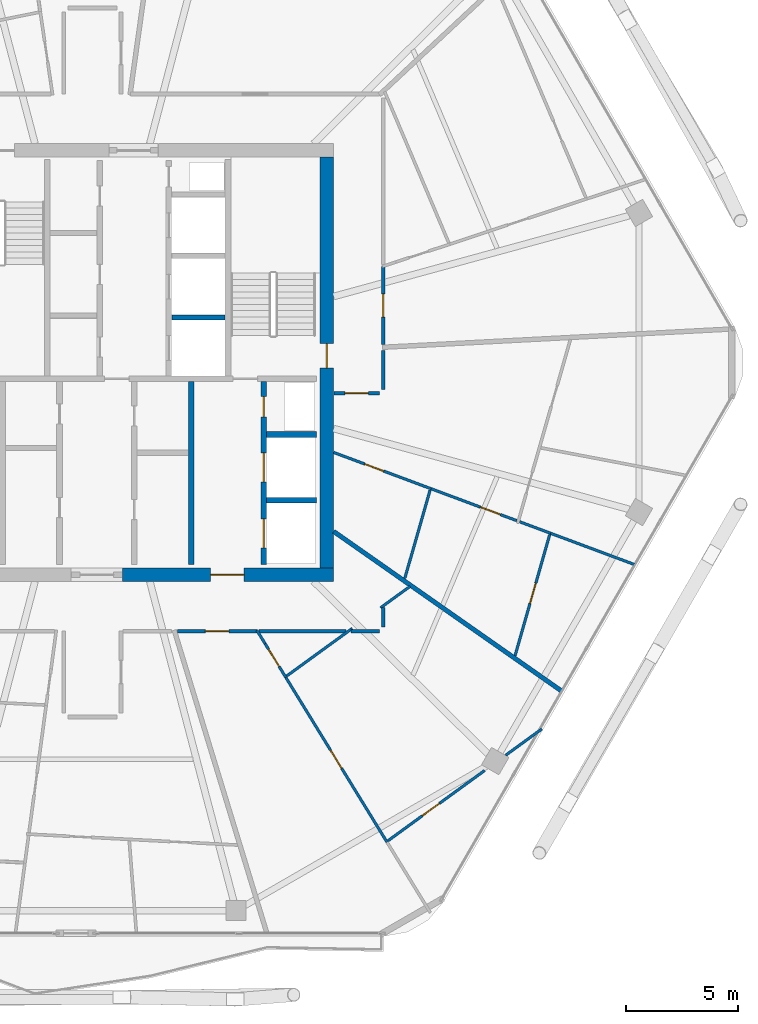
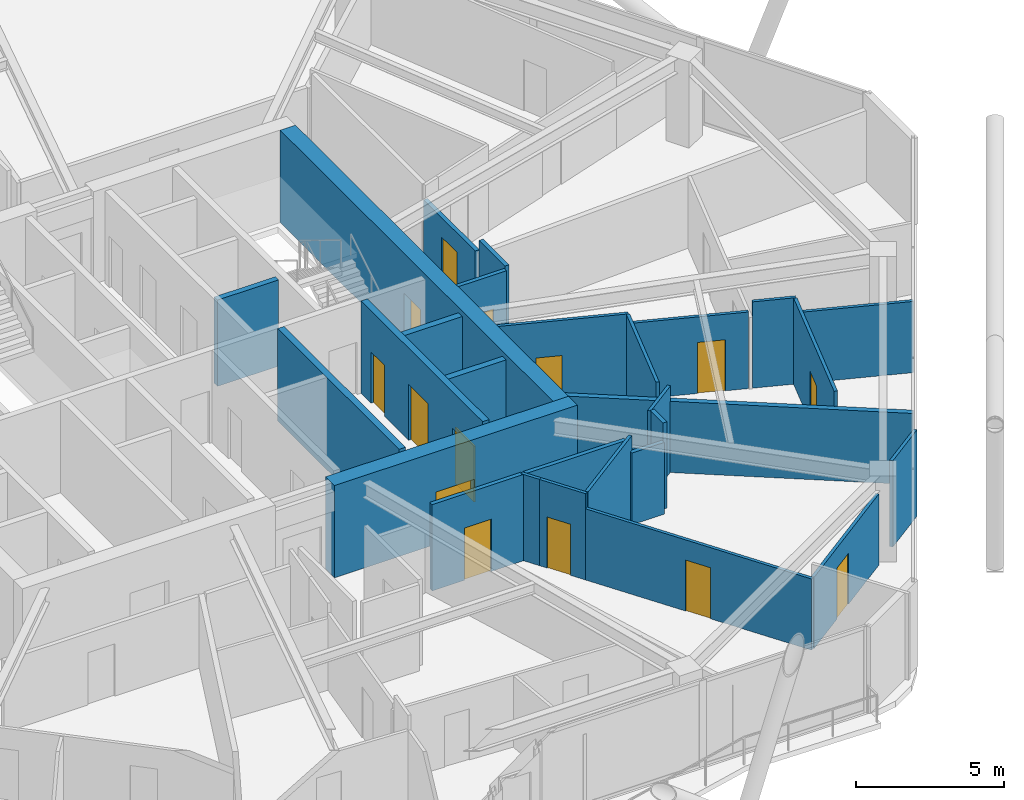
# One storey, part 22 of 28: 28 walls, 14 doors, 14 openings.
"""IFC4 building model written with IfcOpenShell, lengths in metres."""

from ifc_helpers import new_model, si_unit, direction, frame, frame_2d, origin, place, context, subcontext, project, spatial, rectangle, extrude, material, layer, layer_set, type_object, element, fill, save


model = new_model("IFC4")

# Units and contexts
model_context = context("Model", 3, precision=1e-05, world=origin(), true_north=direction((0.0, 1.0)))
body_context = subcontext(model_context, "Body", "Model", "MODEL_VIEW")
ifc_project = project(units=[si_unit("LENGTHUNIT", "METRE"), si_unit("AREAUNIT", "SQUARE_METRE"), si_unit("VOLUMEUNIT", "CUBIC_METRE"), si_unit("PLANEANGLEUNIT", "RADIAN"), si_unit("MASSUNIT", "GRAM", prefix="KILO")], contexts=[model_context])

# Site, building, storey
site_placement = place(None, origin())
site = spatial("IfcSite", under=ifc_project, at=site_placement, CompositionType="ELEMENT")
building_placement = place(site_placement, origin())
building = spatial("IfcBuilding", under=site, at=building_placement, Name="Zuhravey Tower", CompositionType="ELEMENT")
storey_placement = place(building_placement, frame((0.0, 0.0, 254.0)))
storey = spatial("IfcBuildingStorey", under=building, at=storey_placement, Name="L64", CompositionType="ELEMENT", Elevation=254.0)

# Wall, opening, door
ifc_material_1 = material(Name="Concrete C50/60", Category="concrete")
ifc_layer_1 = layer(ifc_material_1, 0.60009765625)
ifc_layer_set_1 = layer_set([ifc_layer_1], Name="Concrete C50/60")
wall_type_1 = type_object("IfcWallType", Name="Core Shear Wall 600", PredefinedType="SHEAR", material=ifc_layer_set_1)
wall_1_placement = place(storey_placement, frame((37.35009765625, 22.5, 0.0), z_axis=(0.0, 0.0, 1.0), x_axis=(1.0, 0.0, 0.0)))
wall_1 = element("IfcWall", 1, at=wall_1_placement, inside=storey, type_object=wall_type_1, Name="L64 South-East Core Shear Wall CW60", PredefinedType="SHEAR", context=body_context, shape_type="SweptSolid", body=[
    extrude(rectangle(XDim=9.449951171875, YDim=0.60009765625, at=frame_2d((4.72509765625, 0.0))), origin(), (0.0, 0.0, 1.0), 3.800048828125),
])
opening_1_placement = place(wall_1_placement, frame((3.949951171875, 0.0, 0.0)))
opening_1 = element("IfcOpeningElement", 2, at=opening_1_placement, cuts=wall_1, Name="Opening FFD1", PredefinedType="OPENING", context=body_context, shape_type="SweptSolid", body=[
    extrude(rectangle(XDim=1.5, YDim=2.14990234375, at=frame_2d((0.75, 1.074951171875))), frame((0.0, 0.31201171875, 0.0), z_axis=(0.0, -1.0, 0.0), x_axis=(1.0, 0.0, 0.0)), (0.0, 0.0, 1.0), 0.6240234375),
])
ifc_material_2 = material(Name="Galvanised fire-rated steel leaf", Category="steel")
door_type_1 = type_object("IfcDoorType", Name="Firefighting Lobby Double Door 1500x2150", OperationType="DOUBLE_DOOR_SINGLE_SWING", PredefinedType="DOOR", material=ifc_material_2)
door_1_placement = place(opening_1_placement, origin())
door_1 = element("IfcDoor", 3, at=door_1_placement, inside=storey, type_object=door_type_1, Name="L64 Firefighting Lobby East Door", OperationType="DOUBLE_DOOR_SINGLE_SWING", OverallHeight=2.14990234375, OverallWidth=1.5, PredefinedType="DOOR", context=body_context, shape_type="SweptSolid", body=[
    extrude(rectangle(XDim=1.5, YDim=2.14990234375, at=frame_2d((0.75, 1.074951171875))), frame((0.0, 0.02490234375, 0.0), z_axis=(0.0, -1.0, 0.0), x_axis=(1.0, 0.0, 0.0)), (0.0, 0.0, 1.0), 0.050048828125),
])
fill(opening_1, door_1)

wall_2_placement = place(storey_placement, frame((46.5, 22.800048828125, 0.0), z_axis=(0.0, 0.0, 1.0), x_axis=(0.0, 1.0, 0.0)))
wall_2 = element("IfcWall", 4, at=wall_2_placement, inside=storey, type_object=wall_type_1, Name="L64 East Core Shear Wall CW60", PredefinedType="SHEAR", context=body_context, shape_type="SweptSolid", body=[
    extrude(rectangle(XDim=18.39990234375, YDim=0.60009765625, at=frame_2d((9.199951171875, 0.0))), origin(), (0.0, 0.0, 1.0), 3.800048828125),
])
opening_2_placement = place(wall_2_placement, frame((8.949951171875, 0.0, 0.0)))
opening_2 = element("IfcOpeningElement", 5, at=opening_2_placement, cuts=wall_2, Name="Opening STD1", PredefinedType="OPENING", context=body_context, shape_type="SweptSolid", body=[
    extrude(rectangle(XDim=1.10009765625, YDim=2.14990234375, at=frame_2d((0.550048828125, 1.074951171875))), frame((0.0, 0.31201171875, 0.0), z_axis=(0.0, -1.0, 0.0), x_axis=(1.0, 0.0, 0.0)), (0.0, 0.0, 1.0), 0.6240234375),
])
door_type_2 = type_object("IfcDoorType", Name="Protected Stair Fire Door 1100x2150", OperationType="NOTDEFINED", PredefinedType="USERDEFINED", material=ifc_material_2)
door_2_placement = place(opening_2_placement, origin())
door_2 = element("IfcDoor", 6, at=door_2_placement, inside=storey, type_object=door_type_2, Name="L64 Stair ST2 Door", ObjectType="EXITDOOR", OperationType="SINGLE_SWING_RIGHT", OverallHeight=2.14990234375, OverallWidth=1.10009765625, PredefinedType="USERDEFINED", context=body_context, shape_type="SweptSolid", body=[
    extrude(rectangle(XDim=1.10009765625, YDim=2.14990234375, at=frame_2d((0.550048828125, 1.074951171875))), frame((0.0, 0.02490234375, 0.0), z_axis=(0.0, -1.0, 0.0), x_axis=(1.0, 0.0, 0.0)), (0.0, 0.0, 1.0), 0.050048828125),
])
fill(opening_2, door_2)

ifc_material_3 = material(Name="Gypsum fire-rated stud partition")
ifc_layer_2 = layer(ifc_material_3, 0.159912109375)
ifc_layer_set_2 = layer_set([ifc_layer_2], Name="Gypsum fire-rated stud partition")
wall_type_2 = type_object("IfcWallType", Name="Corridor Fire Partition 160", PredefinedType="PARTITIONING", material=ifc_layer_set_2)
wall_3_placement = place(storey_placement, frame((39.81396484375, 19.969970703125, 0.0), z_axis=(0.0, 0.0, 1.0), x_axis=(1.0, 0.0, 0.0)))
wall_3 = element("IfcWall", 7, at=wall_3_placement, inside=storey, type_object=wall_type_2, Name="L64 IW16 Partition 045", PredefinedType="PARTITIONING", context=body_context, shape_type="SweptSolid", body=[
    extrude(rectangle(XDim=3.552001953125, YDim=0.159912109375, at=frame_2d((1.77587890625, 0.0))), origin(), (0.0, 0.0, 1.0), 3.550048828125),
])
opening_3_placement = place(wall_3_placement, frame((1.2509765625, 0.0, 0.0)))
opening_3 = element("IfcOpeningElement", 8, at=opening_3_placement, cuts=wall_3, Name="Opening APD1", PredefinedType="OPENING", context=body_context, shape_type="SweptSolid", body=[
    extrude(rectangle(XDim=1.050048828125, YDim=2.14990234375, at=frame_2d((0.52490234375, 1.074951171875))), frame((0.0, 0.092041015625, 0.0), z_axis=(0.0, -1.0, 0.0), x_axis=(1.0, 0.0, 0.0)), (0.0, 0.0, 1.0), 0.183837890625),
])
ifc_material_4 = material(Name="Solid-core oak fire-rated leaf")
door_type_3 = type_object("IfcDoorType", Name="Apartment Entrance Fire Door 1050x2150", OperationType="NOTDEFINED", PredefinedType="DOOR", material=ifc_material_4)
door_3_placement = place(opening_3_placement, frame((1.050048828125, 0.0, 0.0), z_axis=(0.0, 0.0, 1.0), x_axis=(-1.0, 0.0, 0.0)))
door_3 = element("IfcDoor", 9, at=door_3_placement, inside=storey, type_object=door_type_3, Name="L64 Door 045.1", OperationType="SINGLE_SWING_RIGHT", OverallHeight=2.14990234375, OverallWidth=1.050048828125, PredefinedType="DOOR", context=body_context, shape_type="SweptSolid", body=[
    extrude(rectangle(XDim=1.050048828125, YDim=2.14990234375, at=frame_2d((0.52490234375, 1.074951171875))), frame((0.0, 0.02490234375, 0.0), z_axis=(0.0, -1.0, 0.0), x_axis=(1.0, 0.0, 0.0)), (0.0, 0.0, 1.0), 0.050048828125),
])
fill(opening_3, door_3)

wall_4_placement = place(storey_placement, frame((46.820068359375, 30.6201171875, 0.0), z_axis=(0.0, 0.0, 1.0), x_axis=(1.0, 0.0, 0.0)))
wall_4 = element("IfcWall", 10, at=wall_4_placement, inside=storey, type_object=wall_type_2, Name="L64 IW16 Partition 051", PredefinedType="PARTITIONING", context=body_context, shape_type="SweptSolid", body=[
    extrude(rectangle(XDim=2.030029296875, YDim=0.159912109375, at=frame_2d((1.01513671875, 0.0))), origin(), (0.0, 0.0, 1.0), 3.550048828125),
])
opening_4_placement = place(wall_4_placement, frame((0.489990234375, 0.0, 0.0)))
opening_4 = element("IfcOpeningElement", 11, at=opening_4_placement, cuts=wall_4, Name="Opening APD1", PredefinedType="OPENING", context=body_context, shape_type="SweptSolid", body=[
    extrude(rectangle(XDim=1.050048828125, YDim=2.14990234375, at=frame_2d((0.52490234375, 1.074951171875))), frame((0.0, 0.092041015625, 0.0), z_axis=(0.0, -1.0, 0.0), x_axis=(1.0, 0.0, 0.0)), (0.0, 0.0, 1.0), 0.183837890625),
])
door_4_placement = place(opening_4_placement, frame((1.050048828125, 0.0, 0.0), z_axis=(0.0, 0.0, 1.0), x_axis=(-1.0, 0.0, 0.0)))
door_4 = element("IfcDoor", 12, at=door_4_placement, inside=storey, type_object=door_type_3, Name="L64 Door 051.1", OperationType="SINGLE_SWING_RIGHT", OverallHeight=2.14990234375, OverallWidth=1.050048828125, PredefinedType="DOOR", context=body_context, shape_type="SweptSolid", body=[
    extrude(rectangle(XDim=1.050048828125, YDim=2.14990234375, at=frame_2d((0.52490234375, 1.074951171875))), frame((0.0, 0.02490234375, 0.0), z_axis=(0.0, -1.0, 0.0), x_axis=(1.0, 0.0, 0.0)), (0.0, 0.0, 1.0), 0.050048828125),
])
fill(opening_4, door_4)

wall_5_placement = place(storey_placement, frame((49.030029296875, 32.81689453125, 0.0), z_axis=(0.0, 0.0, 1.0), x_axis=(0.0, 1.0, 0.0)))
wall_5 = element("IfcWall", 13, at=wall_5_placement, inside=storey, type_object=wall_type_2, Name="L64 IW16 Partition 055", PredefinedType="PARTITIONING", context=body_context, shape_type="SweptSolid", body=[
    extrude(rectangle(XDim=3.476318359375, YDim=0.159912109375, at=frame_2d((1.73828125, 0.0))), origin(), (0.0, 0.0, 1.0), 2.949951171875),
])
opening_5_placement = place(wall_5_placement, frame((1.213134765625, 0.0, 0.0)))
opening_5 = element("IfcOpeningElement", 14, at=opening_5_placement, cuts=wall_5, Name="Opening APD1", PredefinedType="OPENING", context=body_context, shape_type="SweptSolid", body=[
    extrude(rectangle(XDim=1.050048828125, YDim=2.14990234375, at=frame_2d((0.52490234375, 1.074951171875))), frame((0.0, 0.092041015625, 0.0), z_axis=(0.0, -1.0, 0.0), x_axis=(1.0, 0.0, 0.0)), (0.0, 0.0, 1.0), 0.183837890625),
])
door_5_placement = place(opening_5_placement, frame((1.050048828125, 0.0, 0.0), z_axis=(0.0, 0.0, 1.0), x_axis=(-1.0, 0.0, 0.0)))
door_5 = element("IfcDoor", 15, at=door_5_placement, inside=storey, type_object=door_type_3, Name="L64 Door 055.1", OperationType="SINGLE_SWING_RIGHT", OverallHeight=2.14990234375, OverallWidth=1.050048828125, PredefinedType="DOOR", context=body_context, shape_type="SweptSolid", body=[
    extrude(rectangle(XDim=1.050048828125, YDim=2.14990234375, at=frame_2d((0.52490234375, 1.074951171875))), frame((0.0, 0.02490234375, 0.0), z_axis=(0.0, -1.0, 0.0), x_axis=(1.0, 0.0, 0.0)), (0.0, 0.0, 1.0), 0.050048828125),
])
fill(opening_5, door_5)

# Walls
wall_6_placement = place(storey_placement, frame((43.46923828125, 19.969970703125, 0.0), z_axis=(0.0, 0.0, 1.0), x_axis=(1.0, 0.0, 0.0)))
element("IfcWall", 16, at=wall_6_placement, inside=storey, type_object=wall_type_2, Name="L64 IW16 Partition 115", PredefinedType="PARTITIONING", context=body_context, shape_type="SweptSolid", body=[
    extrude(rectangle(XDim=3.8896484375, YDim=0.159912109375, at=frame_2d((1.94482421875, 0.0))), origin(), (0.0, 0.0, 1.0), 3.550048828125),
])
wall_7_placement = place(storey_placement, frame((47.59033203125, 19.969970703125, 0.0), z_axis=(0.0, 0.0, 1.0), x_axis=(1.0, 0.0, 0.0)))
element("IfcWall", 17, at=wall_7_placement, inside=storey, type_object=wall_type_2, Name="L64 IW16 Partition 116", PredefinedType="PARTITIONING", context=body_context, shape_type="SweptSolid", body=[
    extrude(rectangle(XDim=1.259765625, YDim=0.159912109375, at=frame_2d((0.6298828125, 0.0))), origin(), (0.0, 0.0, 1.0), 2.949951171875),
])
wall_8_placement = place(storey_placement, frame((49.030029296875, 20.14990234375, 0.0), z_axis=(0.0, 0.0, 1.0), x_axis=(0.0, 1.0, 0.0)))
element("IfcWall", 18, at=wall_8_placement, inside=storey, type_object=wall_type_2, Name="L64 IW16 Partition 117", PredefinedType="PARTITIONING", context=body_context, shape_type="SweptSolid", body=[
    extrude(rectangle(XDim=0.8662109375, YDim=0.159912109375, at=frame_2d((0.43310546875, 0.0))), origin(), (0.0, 0.0, 1.0), 3.550048828125),
])
wall_9_placement = place(storey_placement, frame((49.030029296875, 30.800048828125, 0.0), z_axis=(0.0, 0.0, 1.0), x_axis=(0.0, 1.0, 0.0)))
element("IfcWall", 19, at=wall_9_placement, inside=storey, type_object=wall_type_2, Name="L64 IW16 Partition 118", PredefinedType="PARTITIONING", context=body_context, shape_type="SweptSolid", body=[
    extrude(rectangle(XDim=1.748779296875, YDim=0.159912109375, at=frame_2d((0.87451171875, 0.0))), origin(), (0.0, 0.0, 1.0), 3.550048828125),
])
ifc_layer_3 = layer(ifc_material_1, 0.25)
ifc_layer_set_3 = layer_set([ifc_layer_3], Name="Concrete C50/60")
wall_type_3 = type_object("IfcWallType", Name="Firefighting Shaft & Stair Wall 250", PredefinedType="SOLIDWALL", material=ifc_layer_set_3)
wall_10_placement = place(storey_placement, frame((40.425048828125, 22.949951171875, 0.0), z_axis=(0.0, 0.0, 1.0), x_axis=(0.0, 1.0, 0.0)))
element("IfcWall", 20, at=wall_10_placement, inside=storey, type_object=wall_type_3, Name="L64 FW25 Shaft Wall 016", PredefinedType="SOLIDWALL", context=body_context, shape_type="SweptSolid", body=[
    extrude(rectangle(XDim=8.199951171875, YDim=0.25, at=frame_2d((4.10009765625, 0.0))), origin(), (0.0, 0.0, 1.0), 3.800048828125),
])
for number, where, z_axis, x_axis, name in (
    (21, (43.800048828125, 25.824951171875, 0.0), (0.0, 0.0, 1.0), (1.0, 0.0, 0.0), "L64 FW25 Shaft Wall 017"),
    (22, (43.800048828125, 28.77490234375, 0.0), (0.0, 0.0, 1.0), (1.0, 0.0, 0.0), "L64 FW25 Shaft Wall 018"),
):
    element("IfcWall", number, at=place(storey_placement, frame(where, z_axis=z_axis, x_axis=x_axis)), inside=storey, type_object=wall_type_3, Name=name, PredefinedType="SOLIDWALL", context=body_context, shape_type="SweptSolid", body=[
        extrude(rectangle(XDim=2.25, YDim=0.25, at=frame_2d((1.125, 0.0))), origin(), (0.0, 0.0, 1.0), 3.800048828125),
    ])

# Wall, openings, doors
wall_11_placement = place(storey_placement, frame((43.675048828125, 22.949951171875, 0.0), z_axis=(0.0, 0.0, 1.0), x_axis=(0.0, 1.0, 0.0)))
wall_11 = element("IfcWall", 23, at=wall_11_placement, inside=storey, type_object=wall_type_3, Name="L64 FW25 Shaft Wall 019", PredefinedType="SOLIDWALL", context=body_context, shape_type="SweptSolid", body=[
    extrude(rectangle(XDim=8.199951171875, YDim=0.25, at=frame_2d((4.10009765625, 0.0))), origin(), (0.0, 0.0, 1.0), 3.800048828125),
])
opening_6_placement = place(wall_11_placement, frame((0.75, 0.0, 0.0)))
opening_6 = element("IfcOpeningElement", 24, at=opening_6_placement, cuts=wall_11, Name="Opening LD2", PredefinedType="OPENING", context=body_context, shape_type="SweptSolid", body=[
    extrude(rectangle(XDim=1.300048828125, YDim=2.300048828125, at=frame_2d((0.64990234375, 1.14990234375))), frame((0.0, 0.136962890625, 0.0), z_axis=(0.0, -1.0, 0.0), x_axis=(1.0, 0.0, 0.0)), (0.0, 0.0, 1.0), 0.27392578125),
])
opening_7_placement = place(wall_11_placement, frame((3.699951171875, 0.0, 0.0)))
opening_7 = element("IfcOpeningElement", 25, at=opening_7_placement, cuts=wall_11, Name="Opening LD2", PredefinedType="OPENING", context=body_context, shape_type="SweptSolid", body=[
    extrude(rectangle(XDim=1.300048828125, YDim=2.300048828125, at=frame_2d((0.64990234375, 1.14990234375))), frame((0.0, 0.136962890625, 0.0), z_axis=(0.0, -1.0, 0.0), x_axis=(1.0, 0.0, 0.0)), (0.0, 0.0, 1.0), 0.27392578125),
])
opening_8_placement = place(wall_11_placement, frame((6.6201171875, 0.0, 0.0)))
opening_8 = element("IfcOpeningElement", 26, at=opening_8_placement, cuts=wall_11, Name="Opening RSD1", PredefinedType="OPENING", context=body_context, shape_type="SweptSolid", body=[
    extrude(rectangle(XDim=0.89990234375, YDim=2.10009765625, at=frame_2d((0.449951171875, 1.050048828125))), frame((0.0, 0.136962890625, 0.0), z_axis=(0.0, -1.0, 0.0), x_axis=(1.0, 0.0, 0.0)), (0.0, 0.0, 1.0), 0.27392578125),
])
ifc_material_5 = material(Name="Brushed stainless steel", Category="steel")
door_type_4 = type_object("IfcDoorType", Name="Freight & Stretcher Lift Sliding Door 1300x2300", OperationType="DOUBLE_DOOR_SLIDING", PredefinedType="DOOR", material=ifc_material_5)
door_6_placement = place(opening_6_placement, origin())
door_6 = element("IfcDoor", 27, at=door_6_placement, inside=storey, type_object=door_type_4, Name="L64 Lift FF2 Landing Door", OperationType="DOUBLE_DOOR_SLIDING", OverallHeight=2.300048828125, OverallWidth=1.300048828125, PredefinedType="DOOR", context=body_context, shape_type="SweptSolid", body=[
    extrude(rectangle(XDim=1.300048828125, YDim=2.300048828125, at=frame_2d((0.64990234375, 1.14990234375))), frame((0.0, 0.02490234375, 0.0), z_axis=(0.0, -1.0, 0.0), x_axis=(1.0, 0.0, 0.0)), (0.0, 0.0, 1.0), 0.050048828125),
])
fill(opening_6, door_6)
door_7_placement = place(opening_7_placement, origin())
door_7 = element("IfcDoor", 28, at=door_7_placement, inside=storey, type_object=door_type_4, Name="L64 Lift SV1 Landing Door", OperationType="DOUBLE_DOOR_SLIDING", OverallHeight=2.300048828125, OverallWidth=1.300048828125, PredefinedType="DOOR", context=body_context, shape_type="SweptSolid", body=[
    extrude(rectangle(XDim=1.300048828125, YDim=2.300048828125, at=frame_2d((0.64990234375, 1.14990234375))), frame((0.0, 0.02490234375, 0.0), z_axis=(0.0, -1.0, 0.0), x_axis=(1.0, 0.0, 0.0)), (0.0, 0.0, 1.0), 0.050048828125),
])
fill(opening_7, door_7)
ifc_material_6 = material(Name="Galvanised fire-rated steel access leaf", Category="steel")
door_type_5 = type_object("IfcDoorType", Name="Riser & Shaft Access Fire Door 900x2100", OperationType="NOTDEFINED", PredefinedType="DOOR", material=ifc_material_6)
door_8_placement = place(opening_8_placement, origin())
door_8 = element("IfcDoor", 29, at=door_8_placement, inside=storey, type_object=door_type_5, Name="L64 Plumbing Riser Door", OperationType="SINGLE_SWING_LEFT", OverallHeight=2.10009765625, OverallWidth=0.89990234375, PredefinedType="DOOR", context=body_context, shape_type="SweptSolid", body=[
    extrude(rectangle(XDim=0.89990234375, YDim=2.10009765625, at=frame_2d((0.449951171875, 1.050048828125))), frame((0.0, 0.02490234375, 0.0), z_axis=(0.0, -1.0, 0.0), x_axis=(1.0, 0.0, 0.0)), (0.0, 0.0, 1.0), 0.050048828125),
])
fill(opening_8, door_8)

# Walls
ifc_material_7 = material(Name="Gypsum double-stud party assembly")
ifc_layer_4 = layer(ifc_material_7, 0.199951171875)
ifc_layer_set_4 = layer_set([ifc_layer_4], Name="Gypsum double-stud party assembly")
wall_type_4 = type_object("IfcWallType", Name="Inter-Tenancy Party Wall 200", PredefinedType="PARTITIONING", material=ifc_layer_set_4)
wall_12_placement = place(storey_placement, frame((46.80810546875, 24.43212890625, 0.0), z_axis=(0.0, 0.0, 1.0), x_axis=(0.819149112162, -0.57358062384, 0.0)))
element("IfcWall", 30, at=wall_12_placement, inside=storey, type_object=wall_type_4, Name="L64 IW20 Partition 090", PredefinedType="PARTITIONING", context=body_context, shape_type="SweptSolid", body=[
    extrude(rectangle(XDim=12.467041015625, YDim=0.199951171875, at=frame_2d((6.2333984375, 0.0))), origin(), (0.0, 0.0, 1.0), 2.929931640625),
])
ifc_material_8 = material(Name="Gypsum acoustic stud assembly")
ifc_layer_5 = layer(ifc_material_8, 0.219970703125)
ifc_layer_set_5 = layer_set([ifc_layer_5], Name="Gypsum acoustic stud assembly")
wall_type_5 = type_object("IfcWallType", Name="School Acoustic Compartment Wall 220", PredefinedType="PARTITIONING", material=ifc_layer_set_5)
wall_13_placement = place(storey_placement, frame((39.55810546875, 34.02490234375, 0.0), z_axis=(0.0, 0.0, 1.0), x_axis=(1.0, 0.0, 0.0)))
element("IfcWall", 31, at=wall_13_placement, inside=storey, type_object=wall_type_5, Name="L64 IW22 Partition 063", PredefinedType="PARTITIONING", context=body_context, shape_type="SweptSolid", body=[
    extrude(rectangle(XDim=2.3837890625, YDim=0.219970703125, at=frame_2d((1.19189453125, 0.0))), origin(), (0.0, 0.0, 1.0), 3.550048828125),
])

# Wall, opening, door
ifc_material_9 = material(Name="Gypsum metal-stud partition")
ifc_layer_6 = layer(ifc_material_9, 0.1201171875)
ifc_layer_set_6 = layer_set([ifc_layer_6], Name="Gypsum metal-stud partition")
wall_type_6 = type_object("IfcWallType", Name="Unit Internal Partition 120", PredefinedType="PARTITIONING", material=ifc_layer_set_6)
wall_14_placement = place(storey_placement, frame((43.739501953125, 19.39990234375, 0.0), z_axis=(0.0, 0.0, 1.0), x_axis=(0.523441067702, -0.852061880759, 0.0)))
wall_14 = element("IfcWall", 32, at=wall_14_placement, inside=storey, type_object=wall_type_6, Name="L64 IW12 Partition 042", PredefinedType="PARTITIONING", context=body_context, shape_type="SweptSolid", body=[
    extrude(rectangle(XDim=1.764404296875, YDim=0.1201171875, at=frame_2d((0.88232421875, 0.0))), origin(), (0.0, 0.0, 1.0), 3.550048828125),
])
opening_9_placement = place(wall_14_placement, frame((0.291015625, 0.0, 0.0)))
opening_9 = element("IfcOpeningElement", 33, at=opening_9_placement, cuts=wall_14, Name="Opening WCD1", PredefinedType="OPENING", context=body_context, shape_type="SweptSolid", body=[
    extrude(rectangle(XDim=0.89990234375, YDim=2.10009765625, at=frame_2d((0.449951171875, 1.050048828125))), frame((0.0, 0.072021484375, 0.0), z_axis=(0.0, -1.0, 0.0), x_axis=(1.0, 0.0, 0.0)), (0.0, 0.0, 1.0), 0.14404296875),
])
ifc_material_10 = material(Name="Moisture-resistant timber leaf", Category="wood")
door_type_6 = type_object("IfcDoorType", Name="Bathroom & WC Internal Door 900x2100", OperationType="NOTDEFINED", PredefinedType="DOOR", material=ifc_material_10)
door_9_placement = place(opening_9_placement, origin())
door_9 = element("IfcDoor", 34, at=door_9_placement, inside=storey, type_object=door_type_6, Name="Apartment L64-05 Bathroom Door", OperationType="SINGLE_SWING_LEFT", OverallHeight=2.10009765625, OverallWidth=0.89990234375, PredefinedType="DOOR", context=body_context, shape_type="SweptSolid", body=[
    extrude(rectangle(XDim=0.89990234375, YDim=2.10009765625, at=frame_2d((0.449951171875, 1.050048828125))), frame((0.0, 0.02490234375, 0.0), z_axis=(0.0, -1.0, 0.0), x_axis=(1.0, 0.0, 0.0)), (0.0, 0.0, 1.0), 0.050048828125),
])
fill(opening_9, door_9)

wall_15_placement = place(storey_placement, frame((44.6630859375, 17.896484375, 0.0), z_axis=(0.0, 0.0, 1.0), x_axis=(0.523381863005, -0.852098248723, 0.0)))
wall_15 = element("IfcWall", 35, at=wall_15_placement, inside=storey, type_object=wall_type_6, Name="L64 IW12 Partition 043", PredefinedType="PARTITIONING", context=body_context, shape_type="SweptSolid", body=[
    extrude(rectangle(XDim=8.663818359375, YDim=0.1201171875, at=frame_2d((4.33203125, 0.0))), origin(), (0.0, 0.0, 1.0), 2.929931640625),
])
opening_10_placement = place(wall_15_placement, frame((3.831787109375, 0.0, 0.0)))
opening_10 = element("IfcOpeningElement", 36, at=opening_10_placement, cuts=wall_15, Name="Opening IND1", PredefinedType="OPENING", context=body_context, shape_type="SweptSolid", body=[
    extrude(rectangle(XDim=0.949951171875, YDim=2.10009765625, at=frame_2d((0.47509765625, 1.050048828125))), frame((0.0, 0.072021484375, 0.0), z_axis=(0.0, -1.0, 0.0), x_axis=(1.0, 0.0, 0.0)), (0.0, 0.0, 1.0), 0.14404296875),
])
ifc_material_11 = material(Name="Painted engineered timber leaf", Category="wood")
door_type_7 = type_object("IfcDoorType", Name="Internal Room & Bedroom Door 950x2100", OperationType="NOTDEFINED", PredefinedType="DOOR", material=ifc_material_11)
door_10_placement = place(opening_10_placement, origin())
door_10 = element("IfcDoor", 37, at=door_10_placement, inside=storey, type_object=door_type_7, Name="Apartment L64-05 Home Office Door", OperationType="SINGLE_SWING_RIGHT", OverallHeight=2.10009765625, OverallWidth=0.949951171875, PredefinedType="DOOR", context=body_context, shape_type="SweptSolid", body=[
    extrude(rectangle(XDim=0.949951171875, YDim=2.10009765625, at=frame_2d((0.47509765625, 1.050048828125))), frame((0.0, 0.02490234375, 0.0), z_axis=(0.0, -1.0, 0.0), x_axis=(1.0, 0.0, 0.0)), (0.0, 0.0, 1.0), 0.050048828125),
])
fill(opening_10, door_10)

wall_16_placement = place(storey_placement, frame((49.239501953125, 10.575439453125, 0.0), z_axis=(0.0, 0.0, 1.0), x_axis=(0.809007956484, 0.587797691681, 0.0)))
wall_16 = element("IfcWall", 38, at=wall_16_placement, inside=storey, type_object=wall_type_6, Name="L64 IW12 Partition 044", PredefinedType="PARTITIONING", context=body_context, shape_type="SweptSolid", body=[
    extrude(rectangle(XDim=5.357177734375, YDim=0.1201171875, at=frame_2d((2.6787109375, 0.0))), origin(), (0.0, 0.0, 1.0), 2.929931640625),
])
opening_11_placement = place(wall_16_placement, frame((1.8994140625, 0.0, 0.0)))
opening_11 = element("IfcOpeningElement", 39, at=opening_11_placement, cuts=wall_16, Name="Opening IND1", PredefinedType="OPENING", context=body_context, shape_type="SweptSolid", body=[
    extrude(rectangle(XDim=0.949951171875, YDim=2.10009765625, at=frame_2d((0.47509765625, 1.050048828125))), frame((0.0, 0.072021484375, 0.0), z_axis=(0.0, -1.0, 0.0), x_axis=(1.0, 0.0, 0.0)), (0.0, 0.0, 1.0), 0.14404296875),
])
door_11_placement = place(opening_11_placement, frame((0.949951171875, 0.0, 0.0), z_axis=(0.0, 0.0, 1.0), x_axis=(-1.0, 0.0, 0.0)))
door_11 = element("IfcDoor", 40, at=door_11_placement, inside=storey, type_object=door_type_7, Name="Apartment L64-05 Bedroom 1 Door", OperationType="SINGLE_SWING_LEFT", OverallHeight=2.10009765625, OverallWidth=0.949951171875, PredefinedType="DOOR", context=body_context, shape_type="SweptSolid", body=[
    extrude(rectangle(XDim=0.949951171875, YDim=2.10009765625, at=frame_2d((0.47509765625, 1.050048828125))), frame((0.0, 0.02490234375, 0.0), z_axis=(0.0, -1.0, 0.0), x_axis=(1.0, 0.0, 0.0)), (0.0, 0.0, 1.0), 0.050048828125),
])
fill(opening_11, door_11)

wall_17_placement = place(storey_placement, frame((46.80810546875, 27.971923828125, 0.0), z_axis=(0.0, 0.0, 1.0), x_axis=(0.937036038674, -0.349232676344, 0.0)))
wall_17 = element("IfcWall", 41, at=wall_17_placement, inside=storey, type_object=wall_type_6, Name="L64 IW12 Partition 047", PredefinedType="PARTITIONING", context=body_context, shape_type="SweptSolid", body=[
    extrude(rectangle(XDim=4.6572265625, YDim=0.1201171875, at=frame_2d((2.32861328125, 0.0))), origin(), (0.0, 0.0, 1.0), 3.550048828125),
])
opening_12_placement = place(wall_17_placement, frame((1.486572265625, 0.0, 0.0)))
opening_12 = element("IfcOpeningElement", 42, at=opening_12_placement, cuts=wall_17, Name="Opening WCD1", PredefinedType="OPENING", context=body_context, shape_type="SweptSolid", body=[
    extrude(rectangle(XDim=0.89990234375, YDim=2.10009765625, at=frame_2d((0.449951171875, 1.050048828125))), frame((0.0, 0.072021484375, 0.0), z_axis=(0.0, -1.0, 0.0), x_axis=(1.0, 0.0, 0.0)), (0.0, 0.0, 1.0), 0.14404296875),
])
door_12_placement = place(opening_12_placement, frame((0.89990234375, 0.0, 0.0), z_axis=(0.0, 0.0, 1.0), x_axis=(-1.0, 0.0, 0.0)))
door_12 = element("IfcDoor", 43, at=door_12_placement, inside=storey, type_object=door_type_6, Name="Apartment L64-06 Bathroom Door", OperationType="SINGLE_SWING_LEFT", OverallHeight=2.10009765625, OverallWidth=0.89990234375, PredefinedType="DOOR", context=body_context, shape_type="SweptSolid", body=[
    extrude(rectangle(XDim=0.89990234375, YDim=2.10009765625, at=frame_2d((0.449951171875, 1.050048828125))), frame((0.0, 0.02490234375, 0.0), z_axis=(0.0, -1.0, 0.0), x_axis=(1.0, 0.0, 0.0)), (0.0, 0.0, 1.0), 0.050048828125),
])
fill(opening_12, door_12)

wall_18_placement = place(storey_placement, frame((51.172119140625, 26.345458984375, 0.0), z_axis=(0.0, 0.0, 1.0), x_axis=(0.937041629646, -0.349217674682, 0.0)))
wall_18 = element("IfcWall", 44, at=wall_18_placement, inside=storey, type_object=wall_type_6, Name="L64 IW12 Partition 048", PredefinedType="PARTITIONING", context=body_context, shape_type="SweptSolid", body=[
    extrude(rectangle(XDim=4.10107421875, YDim=0.1201171875, at=frame_2d((2.050537109375, 0.0))), origin(), (0.0, 0.0, 1.0), 3.14990234375),
])
opening_13_placement = place(wall_18_placement, frame((2.35888671875, 0.0, 0.0)))
opening_13 = element("IfcOpeningElement", 45, at=opening_13_placement, cuts=wall_18, Name="Opening IND1", PredefinedType="OPENING", context=body_context, shape_type="SweptSolid", body=[
    extrude(rectangle(XDim=0.949951171875, YDim=2.10009765625, at=frame_2d((0.47509765625, 1.050048828125))), frame((0.0, 0.072021484375, 0.0), z_axis=(0.0, -1.0, 0.0), x_axis=(1.0, 0.0, 0.0)), (0.0, 0.0, 1.0), 0.14404296875),
])
door_13_placement = place(opening_13_placement, frame((0.949951171875, 0.0, 0.0), z_axis=(0.0, 0.0, 1.0), x_axis=(-1.0, 0.0, 0.0)))
door_13 = element("IfcDoor", 46, at=door_13_placement, inside=storey, type_object=door_type_7, Name="Apartment L64-06 Home Office Door", OperationType="SINGLE_SWING_RIGHT", OverallHeight=2.10009765625, OverallWidth=0.949951171875, PredefinedType="DOOR", context=body_context, shape_type="SweptSolid", body=[
    extrude(rectangle(XDim=0.949951171875, YDim=2.10009765625, at=frame_2d((0.47509765625, 1.050048828125))), frame((0.0, 0.02490234375, 0.0), z_axis=(0.0, -1.0, 0.0), x_axis=(1.0, 0.0, 0.0)), (0.0, 0.0, 1.0), 0.050048828125),
])
fill(opening_13, door_13)

# Wall
wall_19_placement = place(storey_placement, frame((55.142578125, 24.86572265625, 0.0), z_axis=(0.0, 0.0, 1.0), x_axis=(0.937038743308, -0.349225419378, 0.0)))
element("IfcWall", 47, at=wall_19_placement, inside=storey, type_object=wall_type_6, Name="L64 IW12 Partition 049", PredefinedType="PARTITIONING", context=body_context, shape_type="SweptSolid", body=[
    extrude(rectangle(XDim=1.480712890625, YDim=0.1201171875, at=frame_2d((0.740234375, 0.0))), origin(), (0.0, 0.0, 1.0), 3.550048828125),
])

# Wall, opening, door
wall_20_placement = place(storey_placement, frame((54.93212890625, 18.866943359375, 0.0), z_axis=(0.0, 0.0, 1.0), x_axis=(0.275658043462, 0.961255763611, 0.0)))
wall_20 = element("IfcWall", 48, at=wall_20_placement, inside=storey, type_object=wall_type_6, Name="L64 IW12 Partition 050", PredefinedType="PARTITIONING", context=body_context, shape_type="SweptSolid", body=[
    extrude(rectangle(XDim=5.6435546875, YDim=0.1201171875, at=frame_2d((2.82177734375, 0.0))), origin(), (0.0, 0.0, 1.0), 3.550048828125),
])
opening_14_placement = place(wall_20_placement, frame((2.430908203125, 0.0, 0.0)))
opening_14 = element("IfcOpeningElement", 49, at=opening_14_placement, cuts=wall_20, Name="Opening IND1", PredefinedType="OPENING", context=body_context, shape_type="SweptSolid", body=[
    extrude(rectangle(XDim=0.949951171875, YDim=2.10009765625, at=frame_2d((0.47509765625, 1.050048828125))), frame((0.0, 0.072021484375, 0.0), z_axis=(0.0, -1.0, 0.0), x_axis=(1.0, 0.0, 0.0)), (0.0, 0.0, 1.0), 0.14404296875),
])
door_14_placement = place(opening_14_placement, frame((0.949951171875, 0.0, 0.0), z_axis=(0.0, 0.0, 1.0), x_axis=(-1.0, 0.0, 0.0)))
door_14 = element("IfcDoor", 50, at=door_14_placement, inside=storey, type_object=door_type_7, Name="Apartment L64-06 Bedroom 1 Door", OperationType="SINGLE_SWING_LEFT", OverallHeight=2.10009765625, OverallWidth=0.949951171875, PredefinedType="DOOR", context=body_context, shape_type="SweptSolid", body=[
    extrude(rectangle(XDim=0.949951171875, YDim=2.10009765625, at=frame_2d((0.47509765625, 1.050048828125))), frame((0.0, 0.02490234375, 0.0), z_axis=(0.0, -1.0, 0.0), x_axis=(1.0, 0.0, 0.0)), (0.0, 0.0, 1.0), 0.050048828125),
])
fill(opening_14, door_14)

# Walls
wall_21_placement = place(storey_placement, frame((43.365966796875, 20.00830078125, 0.0), z_axis=(0.0, 0.0, 1.0), x_axis=(0.52321946428, -0.852197977115, 0.0)))
element("IfcWall", 51, at=wall_21_placement, inside=storey, type_object=wall_type_6, Name="L64 IW12 Partition 085", PredefinedType="PARTITIONING", context=body_context, shape_type="SweptSolid", body=[
    extrude(rectangle(XDim=0.7138671875, YDim=0.1201171875, at=frame_2d((0.35693359375, 0.0))), origin(), (0.0, 0.0, 1.0), 3.550048828125),
])
wall_22_placement = place(storey_placement, frame((44.705078125, 17.957763671875, 0.0), z_axis=(0.0, 0.0, 1.0), x_axis=(0.809009560969, 0.587795483362, 0.0)))
element("IfcWall", 52, at=wall_22_placement, inside=storey, type_object=wall_type_6, Name="L64 IW12 Partition 087", PredefinedType="PARTITIONING", context=body_context, shape_type="SweptSolid", body=[
    extrude(rectangle(XDim=3.627685546875, YDim=0.1201171875, at=frame_2d((1.81396484375, 0.0))), origin(), (0.0, 0.0, 1.0), 3.550048828125),
])
wall_23_placement = place(storey_placement, frame((48.909912109375, 21.012939453125, 0.0), z_axis=(0.0, 0.0, 1.0), x_axis=(0.809007643974, 0.5877981218, 0.0)))
element("IfcWall", 53, at=wall_23_placement, inside=storey, type_object=wall_type_6, Name="L64 IW12 Partition 088", PredefinedType="PARTITIONING", context=body_context, shape_type="SweptSolid", body=[
    extrude(rectangle(XDim=1.63232421875, YDim=0.1201171875, at=frame_2d((0.816162109375, 0.0))), origin(), (0.0, 0.0, 1.0), 3.550048828125),
])
wall_24_placement = place(storey_placement, frame((54.513671875, 14.407470703125, 0.0), z_axis=(0.0, 0.0, 1.0), x_axis=(0.809041940598, 0.58775091523, 0.0)))
element("IfcWall", 54, at=wall_24_placement, inside=storey, type_object=wall_type_6, Name="L64 IW12 Partition 089", PredefinedType="PARTITIONING", context=body_context, shape_type="SweptSolid", body=[
    extrude(rectangle(XDim=2.001220703125, YDim=0.1201171875, at=frame_2d((1.00048828125, 0.0))), origin(), (0.0, 0.0, 1.0), 3.550048828125),
])
wall_25_placement = place(storey_placement, frame((56.530029296875, 24.3486328125, 0.0), z_axis=(0.0, 0.0, 1.0), x_axis=(0.937033786593, -0.349238718906, 0.0)))
element("IfcWall", 55, at=wall_25_placement, inside=storey, type_object=wall_type_6, Name="L64 IW12 Partition 092", PredefinedType="PARTITIONING", context=body_context, shape_type="SweptSolid", body=[
    extrude(rectangle(XDim=4.01904296875, YDim=0.1201171875, at=frame_2d((2.009521484375, 0.0))), origin(), (0.0, 0.0, 1.0), 2.929931640625),
])
wall_26_placement = place(storey_placement, frame((49.9951171875, 22.332275390625, 0.0), z_axis=(0.0, 0.0, 1.0), x_axis=(0.27563759031, 0.961261628699, 0.0)))
element("IfcWall", 56, at=wall_26_placement, inside=storey, type_object=wall_type_6, Name="L64 IW12 Partition 093", PredefinedType="PARTITIONING", context=body_context, shape_type="SweptSolid", body=[
    extrude(rectangle(XDim=4.115966796875, YDim=0.1201171875, at=frame_2d((2.05810546875, 0.0))), origin(), (0.0, 0.0, 1.0), 3.550048828125),
])

save(model, "model.ifc")
